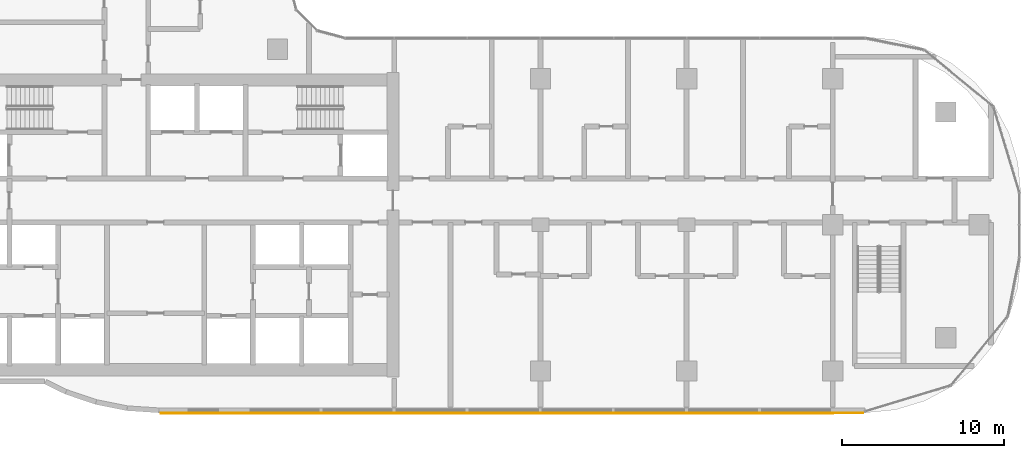
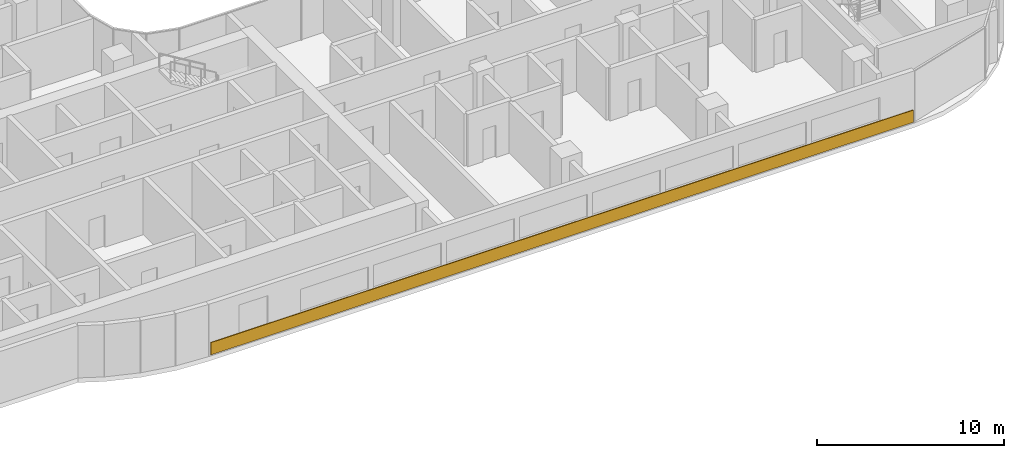
# One storey, part 21 of 23: 1 covering.
"""IFC4 building model written with IfcOpenShell, lengths in metres."""

from ifc_helpers import new_model, si_unit, direction, frame, origin, origin_2d, place, context, subcontext, project, spatial, rectangle, extrude, material, layer, layer_set, type_object, element, save


model = new_model("IFC4")

# Units and contexts
model_context = context("Model", 3, precision=1e-05, world=origin(), true_north=direction((0.0, 1.0)))
body_context = subcontext(model_context, "Body", "Model", "MODEL_VIEW")
ifc_project = project(units=[si_unit("LENGTHUNIT", "METRE"), si_unit("AREAUNIT", "SQUARE_METRE"), si_unit("VOLUMEUNIT", "CUBIC_METRE"), si_unit("PLANEANGLEUNIT", "RADIAN"), si_unit("MASSUNIT", "GRAM", prefix="KILO")], contexts=[model_context])

# Site, building, storey
site_placement = place(None, origin())
site = spatial("IfcSite", under=ifc_project, at=site_placement, CompositionType="ELEMENT")
building_placement = place(site_placement, origin())
building = spatial("IfcBuilding", under=site, at=building_placement, Name="Ogive Portal Towers", CompositionType="ELEMENT")
storey_placement = place(building_placement, frame((0.0, 0.0, 120.39990234375)))
storey = spatial("IfcBuildingStorey", under=building, at=storey_placement, Name="L29", CompositionType="ELEMENT", Elevation=120.39990234375)

# Covering
ifc_material = material(Name="Limestone cladding on lightweight block wall", Category="masonry")
ifc_layer = layer(ifc_material, 0.050048828125)
ifc_layer_set = layer_set([ifc_layer], Name="SCREEN PERFORATED STONE")
covering_type = type_object("IfcCoveringType", Name="SCREEN PERFORATED STONE", PredefinedType="CLADDING", material=ifc_layer_set)
covering_placement = place(storey_placement, frame((65.7490234375, 18.89990234375, 0.10009765625), z_axis=(0.0, 0.0, 1.0), x_axis=(1.0, 0.0, 0.0)))
element("IfcCovering", 1, at=covering_placement, inside=storey, type_object=covering_type, Name="Tracery screen", PredefinedType="CLADDING", context=body_context, shape_type="SweptSolid", body=[
    extrude(rectangle(XDim=43.2783203125, YDim=0.050048828125, at=origin_2d()), origin(), (0.0, 0.0, 1.0), 0.800048828125),
])

save(model, "model.ifc")
